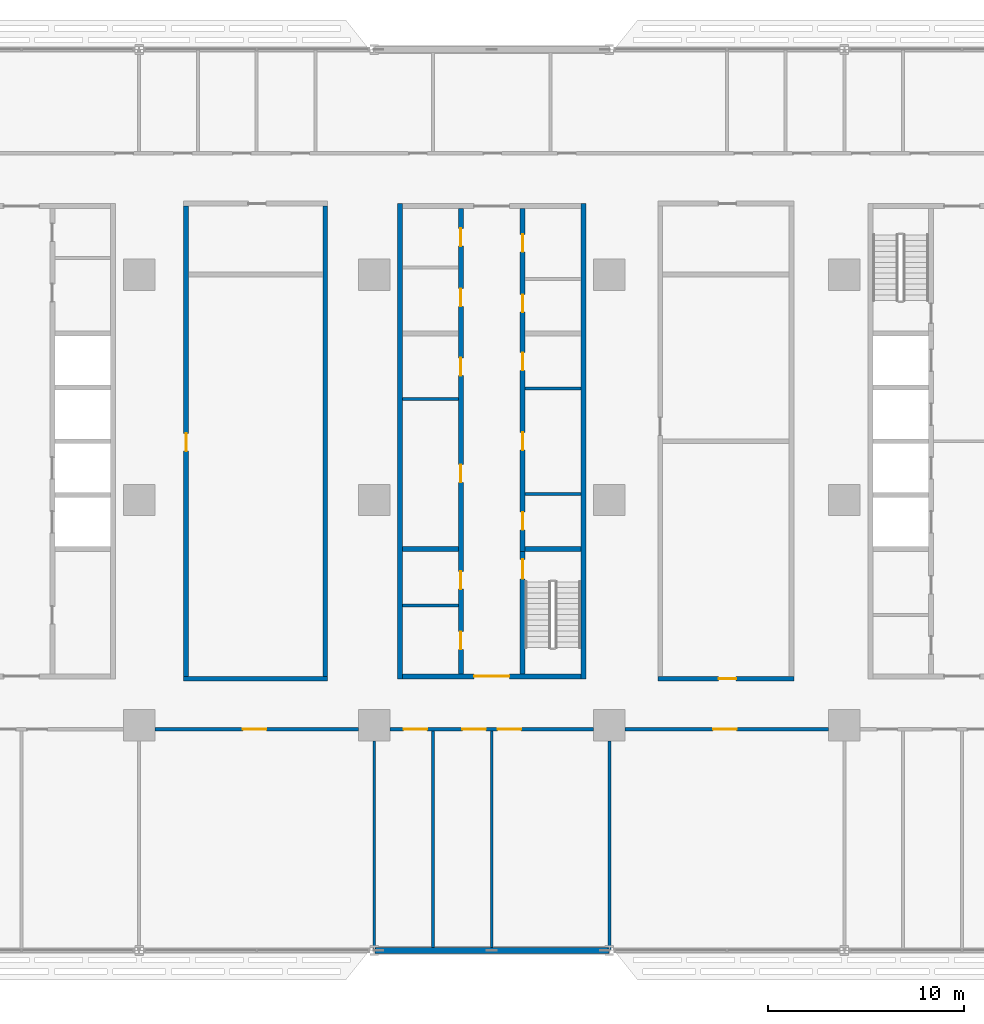
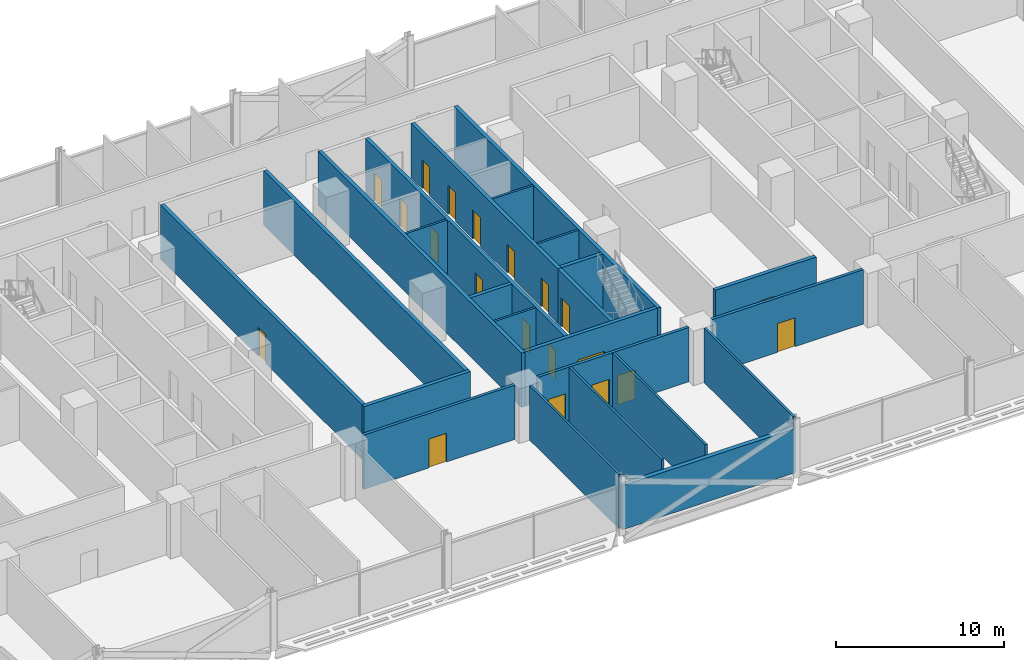
# One storey, part 11 of 27: 24 walls, 20 doors, 20 openings.
"""IFC4 building model written with IfcOpenShell, lengths in metres."""

from ifc_helpers import new_model, si_unit, direction, frame, frame_2d, origin, place, context, subcontext, project, spatial, rectangle, extrude, material, layer, layer_set, type_object, element, fill, save


model = new_model("IFC4")

# Units and contexts
model_context = context("Model", 3, precision=1e-05, world=origin(), true_north=direction((0.0, 1.0)))
body_context = subcontext(model_context, "Body", "Model", "MODEL_VIEW")
ifc_project = project(units=[si_unit("LENGTHUNIT", "METRE"), si_unit("AREAUNIT", "SQUARE_METRE"), si_unit("VOLUMEUNIT", "CUBIC_METRE"), si_unit("PLANEANGLEUNIT", "RADIAN"), si_unit("MASSUNIT", "GRAM", prefix="KILO")], contexts=[model_context])

# Site, building, storey
site_placement = place(None, origin())
site = spatial("IfcSite", under=ifc_project, at=site_placement, CompositionType="ELEMENT")
building_placement = place(site_placement, origin())
building = spatial("IfcBuilding", under=site, at=building_placement, Name="Mahtab Terrace Research Tower", CompositionType="ELEMENT")
storey_placement = place(building_placement, frame((0.0, 0.0, 28.699951171875)))
storey = spatial("IfcBuildingStorey", under=building, at=storey_placement, Name="L06", CompositionType="ELEMENT", Elevation=28.699951171875)

# Walls
ifc_material_1 = material(Name="Gypsum board partition")
ifc_layer_1 = layer(ifc_material_1, 0.14990234375)
ifc_layer_set_1 = layer_set([ifc_layer_1], Name="Core partition 150")
wall_type_1 = type_object("IfcWallType", Name="Core partition 150", PredefinedType="PARTITIONING", material=ifc_layer_set_1)
for number, where, z_axis, x_axis, name in (
    (1, (-4.550048828125, 5.14990234375, 0.0), (0.0, 0.0, 1.0), (1.0, 0.0, 0.0), "Core wall B pWL215"),
    (2, (1.699951171875, 0.3125, 0.0), (0.0, 0.0, 1.0), (1.0, 0.0, 0.0), "Core wall B pEL-269"),
    (3, (1.699951171875, 5.6875, 0.0), (0.0, 0.0, 1.0), (1.0, 0.0, 0.0), "Core wall B pEL269"),
    (4, (-4.550048828125, -5.39501953125, 0.0), (0.0, 0.0, 1.0), (1.0, 0.0, 0.0), "Core wall B pWS-840"),
):
    element("IfcWall", number, at=place(storey_placement, frame(where, z_axis=z_axis, x_axis=x_axis)), inside=storey, type_object=wall_type_1, Name=name, PredefinedType="PARTITIONING", context=body_context, shape_type="SweptSolid", body=[
        extrude(rectangle(XDim=2.85009765625, YDim=0.14990234375, at=frame_2d((1.425048828125, 0.0))), origin(), (0.0, 0.0, 1.0), 3.9599609375),
    ])
ifc_material_2 = material(Name="Concrete C70/85", Category="concrete")
ifc_layer_2 = layer(ifc_material_2, 0.25)
ifc_layer_set_2 = layer_set([ifc_layer_2], Name="Core wall 250")
wall_type_2 = type_object("IfcWallType", Name="Core wall 250", PredefinedType="SOLIDWALL", material=ifc_layer_set_2)
for number, where, z_axis, x_axis, name in (
    (5, (-4.675048828125, 15.125, 0.0), (0.0, 0.0, 1.0), (0.0, -1.0, 0.0), "Core wall B outerW"),
    (6, (4.675048828125, -9.125, 0.0), (0.0, 0.0, 1.0), (0.0, 1.0, 0.0), "Core wall B outerE"),
):
    element("IfcWall", number, at=place(storey_placement, frame(where, z_axis=z_axis, x_axis=x_axis)), inside=storey, type_object=wall_type_2, Name=name, PredefinedType="SOLIDWALL", context=body_context, shape_type="SweptSolid", body=[
        extrude(rectangle(XDim=24.25, YDim=0.25, at=frame_2d((12.125, 0.0))), origin(), (0.0, 0.0, 1.0), 3.9599609375),
    ])

# Wall, opening, door
wall_1_placement = place(storey_placement, frame((4.550048828125, -9.0, 0.0), z_axis=(0.0, 0.0, 1.0), x_axis=(-1.0, 0.0, 0.0)))
wall_1 = element("IfcWall", 7, at=wall_1_placement, inside=storey, type_object=wall_type_2, Name="Core wall B endS", PredefinedType="SOLIDWALL", context=body_context, shape_type="SweptSolid", body=[
    extrude(rectangle(XDim=9.10009765625, YDim=0.25, at=frame_2d((4.550048828125, 0.0))), origin(), (0.0, 0.0, 1.0), 3.9599609375),
])
opening_1_placement = place(wall_1_placement, frame((3.64990234375, 0.0, 0.0)))
opening_1 = element("IfcOpeningElement", 8, at=opening_1_placement, cuts=wall_1, Name="Opening B-S1", PredefinedType="OPENING", context=body_context, shape_type="SweptSolid", body=[
    extrude(rectangle(XDim=1.800048828125, YDim=2.10009765625, at=frame_2d((0.89990234375, 1.050048828125))), frame((0.0, 0.135009765625, 0.0), z_axis=(0.0, -1.0, 0.0), x_axis=(1.0, 0.0, 0.0)), (0.0, 0.0, 1.0), 0.27001953125),
])
ifc_material_3 = material(Name="Steel fire door", Category="steel")
door_type_1 = type_object("IfcDoorType", Name="Lobby double door 1800x2100 1 HR", OperationType="DOUBLE_DOOR_SINGLE_SWING", PredefinedType="DOOR", material=ifc_material_3)
door_1_placement = place(opening_1_placement, origin())
door_1 = element("IfcDoor", 9, at=door_1_placement, inside=storey, type_object=door_type_1, Name="Core entrance door B S", OperationType="DOUBLE_DOOR_SINGLE_SWING", OverallHeight=2.10009765625, OverallWidth=1.800048828125, PredefinedType="DOOR", context=body_context, shape_type="SweptSolid", body=[
    extrude(rectangle(XDim=1.800048828125, YDim=2.10009765625, at=frame_2d((0.89990234375, 1.050048828125))), frame((0.0, 0.02490234375, 0.0), z_axis=(0.0, -1.0, 0.0), x_axis=(1.0, 0.0, 0.0)), (0.0, 0.0, 1.0), 0.050048828125),
])
fill(opening_1, door_1)

# Wall, openings, doors
wall_2_placement = place(storey_placement, frame((-1.574951171875, -8.875, 0.0), z_axis=(0.0, 0.0, 1.0), x_axis=(0.0, 1.0, 0.0)))
wall_2 = element("IfcWall", 10, at=wall_2_placement, inside=storey, type_object=wall_type_2, Name="Core wall B innerWSLN", PredefinedType="SOLIDWALL", context=body_context, shape_type="SweptSolid", body=[
    extrude(rectangle(XDim=23.75, YDim=0.25, at=frame_2d((11.875, 0.0))), origin(), (0.0, 0.0, 1.0), 3.9599609375),
])
opening_2_placement = place(wall_2_placement, frame((9.77490234375, 0.0, 0.0)))
opening_2 = element("IfcOpeningElement", 11, at=opening_2_placement, cuts=wall_2, Name="Opening B-R1", PredefinedType="OPENING", context=body_context, shape_type="SweptSolid", body=[
    extrude(rectangle(XDim=0.89990234375, YDim=2.10009765625, at=frame_2d((0.449951171875, 1.050048828125))), frame((0.0, 0.135009765625, 0.0), z_axis=(0.0, -1.0, 0.0), x_axis=(1.0, 0.0, 0.0)), (0.0, 0.0, 1.0), 0.27001953125),
])
opening_3_placement = place(wall_2_placement, frame((15.22509765625, 0.0, 0.0)))
opening_3 = element("IfcOpeningElement", 12, at=opening_3_placement, cuts=wall_2, Name="Opening B-R2", PredefinedType="OPENING", context=body_context, shape_type="SweptSolid", body=[
    extrude(rectangle(XDim=0.89990234375, YDim=2.10009765625, at=frame_2d((0.449951171875, 1.050048828125))), frame((0.0, 0.135009765625, 0.0), z_axis=(0.0, -1.0, 0.0), x_axis=(1.0, 0.0, 0.0)), (0.0, 0.0, 1.0), 0.27001953125),
])
opening_4_placement = place(wall_2_placement, frame((1.25244140625, 0.0, 0.0)))
opening_4 = element("IfcOpeningElement", 13, at=opening_4_placement, cuts=wall_2, Name="Opening B-R6", PredefinedType="OPENING", context=body_context, shape_type="SweptSolid", body=[
    extrude(rectangle(XDim=0.89990234375, YDim=2.10009765625, at=frame_2d((0.449951171875, 1.050048828125))), frame((0.0, 0.135009765625, 0.0), z_axis=(0.0, -1.0, 0.0), x_axis=(1.0, 0.0, 0.0)), (0.0, 0.0, 1.0), 0.27001953125),
])
opening_5_placement = place(wall_2_placement, frame((4.327392578125, 0.0, 0.0)))
opening_5 = element("IfcOpeningElement", 14, at=opening_5_placement, cuts=wall_2, Name="Opening B-R7", PredefinedType="OPENING", context=body_context, shape_type="SweptSolid", body=[
    extrude(rectangle(XDim=0.89990234375, YDim=2.10009765625, at=frame_2d((0.449951171875, 1.050048828125))), frame((0.0, 0.135009765625, 0.0), z_axis=(0.0, -1.0, 0.0), x_axis=(1.0, 0.0, 0.0)), (0.0, 0.0, 1.0), 0.27001953125),
])
opening_6_placement = place(wall_2_placement, frame((18.762451171875, 0.0, 0.0)))
opening_6 = element("IfcOpeningElement", 15, at=opening_6_placement, cuts=wall_2, Name="Opening B-R8", PredefinedType="OPENING", context=body_context, shape_type="SweptSolid", body=[
    extrude(rectangle(XDim=0.89990234375, YDim=2.10009765625, at=frame_2d((0.449951171875, 1.050048828125))), frame((0.0, 0.135009765625, 0.0), z_axis=(0.0, -1.0, 0.0), x_axis=(1.0, 0.0, 0.0)), (0.0, 0.0, 1.0), 0.27001953125),
])
opening_7_placement = place(wall_2_placement, frame((21.83740234375, 0.0, 0.0)))
opening_7 = element("IfcOpeningElement", 16, at=opening_7_placement, cuts=wall_2, Name="Opening B-R9", PredefinedType="OPENING", context=body_context, shape_type="SweptSolid", body=[
    extrude(rectangle(XDim=0.89990234375, YDim=2.10009765625, at=frame_2d((0.449951171875, 1.050048828125))), frame((0.0, 0.135009765625, 0.0), z_axis=(0.0, -1.0, 0.0), x_axis=(1.0, 0.0, 0.0)), (0.0, 0.0, 1.0), 0.27001953125),
])
door_type_2 = type_object("IfcDoorType", Name="Room door 900x2100 1 HR", OperationType="NOTDEFINED", PredefinedType="DOOR", material=ifc_material_3)
door_2_placement = place(opening_2_placement, origin())
door_2 = element("IfcDoor", 17, at=door_2_placement, inside=storey, type_object=door_type_2, Name="Chemical store door", OperationType="SINGLE_SWING_LEFT", OverallHeight=2.10009765625, OverallWidth=0.89990234375, PredefinedType="DOOR", context=body_context, shape_type="SweptSolid", body=[
    extrude(rectangle(XDim=0.89990234375, YDim=2.10009765625, at=frame_2d((0.449951171875, 1.050048828125))), frame((0.0, 0.02490234375, 0.0), z_axis=(0.0, -1.0, 0.0), x_axis=(1.0, 0.0, 0.0)), (0.0, 0.0, 1.0), 0.050048828125),
])
fill(opening_2, door_2)
door_3_placement = place(opening_3_placement, origin())
door_3 = element("IfcDoor", 18, at=door_3_placement, inside=storey, type_object=door_type_2, Name="Waste room door", OperationType="SINGLE_SWING_RIGHT", OverallHeight=2.10009765625, OverallWidth=0.89990234375, PredefinedType="DOOR", context=body_context, shape_type="SweptSolid", body=[
    extrude(rectangle(XDim=0.89990234375, YDim=2.10009765625, at=frame_2d((0.449951171875, 1.050048828125))), frame((0.0, 0.02490234375, 0.0), z_axis=(0.0, -1.0, 0.0), x_axis=(1.0, 0.0, 0.0)), (0.0, 0.0, 1.0), 0.050048828125),
])
fill(opening_3, door_3)
door_4_placement = place(opening_4_placement, origin())
door_4 = element("IfcDoor", 19, at=door_4_placement, inside=storey, type_object=door_type_2, Name="Pantry door", OperationType="SINGLE_SWING_RIGHT", OverallHeight=2.10009765625, OverallWidth=0.89990234375, PredefinedType="DOOR", context=body_context, shape_type="SweptSolid", body=[
    extrude(rectangle(XDim=0.89990234375, YDim=2.10009765625, at=frame_2d((0.449951171875, 1.050048828125))), frame((0.0, 0.02490234375, 0.0), z_axis=(0.0, -1.0, 0.0), x_axis=(1.0, 0.0, 0.0)), (0.0, 0.0, 1.0), 0.050048828125),
])
fill(opening_4, door_4)
door_5_placement = place(opening_5_placement, origin())
door_5 = element("IfcDoor", 20, at=door_5_placement, inside=storey, type_object=door_type_2, Name="Linen store door", OperationType="SINGLE_SWING_LEFT", OverallHeight=2.10009765625, OverallWidth=0.89990234375, PredefinedType="DOOR", context=body_context, shape_type="SweptSolid", body=[
    extrude(rectangle(XDim=0.89990234375, YDim=2.10009765625, at=frame_2d((0.449951171875, 1.050048828125))), frame((0.0, 0.02490234375, 0.0), z_axis=(0.0, -1.0, 0.0), x_axis=(1.0, 0.0, 0.0)), (0.0, 0.0, 1.0), 0.050048828125),
])
fill(opening_5, door_5)
door_6_placement = place(opening_6_placement, origin())
door_6 = element("IfcDoor", 21, at=door_6_placement, inside=storey, type_object=door_type_2, Name="Housekeeping store door", OperationType="SINGLE_SWING_RIGHT", OverallHeight=2.10009765625, OverallWidth=0.89990234375, PredefinedType="DOOR", context=body_context, shape_type="SweptSolid", body=[
    extrude(rectangle(XDim=0.89990234375, YDim=2.10009765625, at=frame_2d((0.449951171875, 1.050048828125))), frame((0.0, 0.02490234375, 0.0), z_axis=(0.0, -1.0, 0.0), x_axis=(1.0, 0.0, 0.0)), (0.0, 0.0, 1.0), 0.050048828125),
])
fill(opening_6, door_6)
door_7_placement = place(opening_7_placement, origin())
door_7 = element("IfcDoor", 22, at=door_7_placement, inside=storey, type_object=door_type_2, Name="Electrical riser room door", OperationType="SINGLE_SWING_LEFT", OverallHeight=2.10009765625, OverallWidth=0.89990234375, PredefinedType="DOOR", context=body_context, shape_type="SweptSolid", body=[
    extrude(rectangle(XDim=0.89990234375, YDim=2.10009765625, at=frame_2d((0.449951171875, 1.050048828125))), frame((0.0, 0.02490234375, 0.0), z_axis=(0.0, -1.0, 0.0), x_axis=(1.0, 0.0, 0.0)), (0.0, 0.0, 1.0), 0.050048828125),
])
fill(opening_7, door_7)

# Wall, opening, door
wall_3_placement = place(storey_placement, frame((1.574951171875, -8.875, 0.0), z_axis=(0.0, 0.0, 1.0), x_axis=(0.0, 1.0, 0.0)))
wall_3 = element("IfcWall", 23, at=wall_3_placement, inside=storey, type_object=wall_type_2, Name="Core wall B innerES", PredefinedType="SOLIDWALL", context=body_context, shape_type="SweptSolid", body=[
    extrude(rectangle(XDim=6.25, YDim=0.25, at=frame_2d((3.125, 0.0))), origin(), (0.0, 0.0, 1.0), 3.9599609375),
])
opening_8_placement = place(wall_3_placement, frame((4.85009765625, 0.0, 0.0)))
opening_8 = element("IfcOpeningElement", 24, at=opening_8_placement, cuts=wall_3, Name="Opening B-ST2", PredefinedType="OPENING", context=body_context, shape_type="SweptSolid", body=[
    extrude(rectangle(XDim=1.0, YDim=2.10009765625, at=frame_2d((0.5, 1.050048828125))), frame((0.0, 0.135009765625, 0.0), z_axis=(0.0, -1.0, 0.0), x_axis=(1.0, 0.0, 0.0)), (0.0, 0.0, 1.0), 0.27001953125),
])
door_type_3 = type_object("IfcDoorType", Name="Stair door 1000x2100 1.5 HR", OperationType="NOTDEFINED", PredefinedType="DOOR", material=ifc_material_3)
door_8_placement = place(opening_8_placement, origin())
door_8 = element("IfcDoor", 25, at=door_8_placement, inside=storey, type_object=door_type_3, Name="Stair door ST2 L06", OperationType="SINGLE_SWING_RIGHT", OverallHeight=2.10009765625, OverallWidth=1.0, PredefinedType="DOOR", context=body_context, shape_type="SweptSolid", body=[
    extrude(rectangle(XDim=1.0, YDim=2.10009765625, at=frame_2d((0.5, 1.050048828125))), frame((0.0, 0.02490234375, 0.0), z_axis=(0.0, -1.0, 0.0), x_axis=(1.0, 0.0, 0.0)), (0.0, 0.0, 1.0), 0.050048828125),
])
fill(opening_8, door_8)

# Wall, openings, doors
wall_4_placement = place(storey_placement, frame((1.574951171875, 14.875, 0.0), z_axis=(0.0, 0.0, 1.0), x_axis=(0.0, -1.0, 0.0)))
wall_4 = element("IfcWall", 26, at=wall_4_placement, inside=storey, type_object=wall_type_2, Name="Core wall B innerELN", PredefinedType="SOLIDWALL", context=body_context, shape_type="SweptSolid", body=[
    extrude(rectangle(XDim=17.5, YDim=0.25, at=frame_2d((8.75, 0.0))), origin(), (0.0, 0.0, 1.0), 3.9599609375),
])
opening_9_placement = place(wall_4_placement, frame((15.493896484375, 0.0, 0.0)))
opening_9 = element("IfcOpeningElement", 27, at=opening_9_placement, cuts=wall_4, Name="Opening B-R3", PredefinedType="OPENING", context=body_context, shape_type="SweptSolid", body=[
    extrude(rectangle(XDim=0.89990234375, YDim=2.10009765625, at=frame_2d((0.449951171875, 1.050048828125))), frame((0.0, 0.135009765625, 0.0), z_axis=(0.0, -1.0, 0.0), x_axis=(1.0, 0.0, 0.0)), (0.0, 0.0, 1.0), 0.27001953125),
])
opening_10_placement = place(wall_4_placement, frame((11.425048828125, 0.0, 0.0)))
opening_10 = element("IfcOpeningElement", 28, at=opening_10_placement, cuts=wall_4, Name="Opening B-R4", PredefinedType="OPENING", context=body_context, shape_type="SweptSolid", body=[
    extrude(rectangle(XDim=0.89990234375, YDim=2.10009765625, at=frame_2d((0.449951171875, 1.050048828125))), frame((0.0, 0.135009765625, 0.0), z_axis=(0.0, -1.0, 0.0), x_axis=(1.0, 0.0, 0.0)), (0.0, 0.0, 1.0), 0.27001953125),
])
opening_11_placement = place(wall_4_placement, frame((7.356201171875, 0.0, 0.0)))
opening_11 = element("IfcOpeningElement", 29, at=opening_11_placement, cuts=wall_4, Name="Opening B-R5", PredefinedType="OPENING", context=body_context, shape_type="SweptSolid", body=[
    extrude(rectangle(XDim=0.89990234375, YDim=2.10009765625, at=frame_2d((0.449951171875, 1.050048828125))), frame((0.0, 0.135009765625, 0.0), z_axis=(0.0, -1.0, 0.0), x_axis=(1.0, 0.0, 0.0)), (0.0, 0.0, 1.0), 0.27001953125),
])
opening_12_placement = place(wall_4_placement, frame((4.387451171875, 0.0, 0.0)))
opening_12 = element("IfcOpeningElement", 30, at=opening_12_placement, cuts=wall_4, Name="Opening B-R10", PredefinedType="OPENING", context=body_context, shape_type="SweptSolid", body=[
    extrude(rectangle(XDim=0.89990234375, YDim=2.10009765625, at=frame_2d((0.449951171875, 1.050048828125))), frame((0.0, 0.135009765625, 0.0), z_axis=(0.0, -1.0, 0.0), x_axis=(1.0, 0.0, 0.0)), (0.0, 0.0, 1.0), 0.27001953125),
])
opening_13_placement = place(wall_4_placement, frame((1.3125, 0.0, 0.0)))
opening_13 = element("IfcOpeningElement", 31, at=opening_13_placement, cuts=wall_4, Name="Opening B-R11", PredefinedType="OPENING", context=body_context, shape_type="SweptSolid", body=[
    extrude(rectangle(XDim=0.89990234375, YDim=2.10009765625, at=frame_2d((0.449951171875, 1.050048828125))), frame((0.0, 0.135009765625, 0.0), z_axis=(0.0, -1.0, 0.0), x_axis=(1.0, 0.0, 0.0)), (0.0, 0.0, 1.0), 0.27001953125),
])
door_9_placement = place(opening_9_placement, origin())
door_9 = element("IfcDoor", 32, at=door_9_placement, inside=storey, type_object=door_type_2, Name="Comms room door", OperationType="SINGLE_SWING_LEFT", OverallHeight=2.10009765625, OverallWidth=0.89990234375, PredefinedType="DOOR", context=body_context, shape_type="SweptSolid", body=[
    extrude(rectangle(XDim=0.89990234375, YDim=2.10009765625, at=frame_2d((0.449951171875, 1.050048828125))), frame((0.0, 0.02490234375, 0.0), z_axis=(0.0, -1.0, 0.0), x_axis=(1.0, 0.0, 0.0)), (0.0, 0.0, 1.0), 0.050048828125),
])
fill(opening_9, door_9)
door_10_placement = place(opening_10_placement, origin())
door_10 = element("IfcDoor", 33, at=door_10_placement, inside=storey, type_object=door_type_2, Name="Meeting alcove door", OperationType="SINGLE_SWING_RIGHT", OverallHeight=2.10009765625, OverallWidth=0.89990234375, PredefinedType="DOOR", context=body_context, shape_type="SweptSolid", body=[
    extrude(rectangle(XDim=0.89990234375, YDim=2.10009765625, at=frame_2d((0.449951171875, 1.050048828125))), frame((0.0, 0.02490234375, 0.0), z_axis=(0.0, -1.0, 0.0), x_axis=(1.0, 0.0, 0.0)), (0.0, 0.0, 1.0), 0.050048828125),
])
fill(opening_10, door_10)
door_11_placement = place(opening_11_placement, origin())
door_11 = element("IfcDoor", 34, at=door_11_placement, inside=storey, type_object=door_type_2, Name="Linen store door", OperationType="SINGLE_SWING_LEFT", OverallHeight=2.10009765625, OverallWidth=0.89990234375, PredefinedType="DOOR", context=body_context, shape_type="SweptSolid", body=[
    extrude(rectangle(XDim=0.89990234375, YDim=2.10009765625, at=frame_2d((0.449951171875, 1.050048828125))), frame((0.0, 0.02490234375, 0.0), z_axis=(0.0, -1.0, 0.0), x_axis=(1.0, 0.0, 0.0)), (0.0, 0.0, 1.0), 0.050048828125),
])
fill(opening_11, door_11)
door_12_placement = place(opening_12_placement, origin())
door_12 = element("IfcDoor", 35, at=door_12_placement, inside=storey, type_object=door_type_2, Name="Accessible WC door", OperationType="SINGLE_SWING_RIGHT", OverallHeight=2.10009765625, OverallWidth=0.89990234375, PredefinedType="DOOR", context=body_context, shape_type="SweptSolid", body=[
    extrude(rectangle(XDim=0.89990234375, YDim=2.10009765625, at=frame_2d((0.449951171875, 1.050048828125))), frame((0.0, 0.02490234375, 0.0), z_axis=(0.0, -1.0, 0.0), x_axis=(1.0, 0.0, 0.0)), (0.0, 0.0, 1.0), 0.050048828125),
])
fill(opening_12, door_12)
door_13_placement = place(opening_13_placement, origin())
door_13 = element("IfcDoor", 36, at=door_13_placement, inside=storey, type_object=door_type_2, Name="WC block door", OperationType="SINGLE_SWING_LEFT", OverallHeight=2.10009765625, OverallWidth=0.89990234375, PredefinedType="DOOR", context=body_context, shape_type="SweptSolid", body=[
    extrude(rectangle(XDim=0.89990234375, YDim=2.10009765625, at=frame_2d((0.449951171875, 1.050048828125))), frame((0.0, 0.02490234375, 0.0), z_axis=(0.0, -1.0, 0.0), x_axis=(1.0, 0.0, 0.0)), (0.0, 0.0, 1.0), 0.050048828125),
])
fill(opening_13, door_13)

# Walls
for number, where, z_axis, x_axis, name in (
    (37, (-4.550048828125, -2.5, 0.0), (0.0, 0.0, 1.0), (1.0, 0.0, 0.0), "Core wall B divW0"),
    (38, (1.699951171875, -2.5, 0.0), (0.0, 0.0, 1.0), (1.0, 0.0, 0.0), "Core wall B divE0"),
):
    element("IfcWall", number, at=place(storey_placement, frame(where, z_axis=z_axis, x_axis=x_axis)), inside=storey, type_object=wall_type_2, Name=name, PredefinedType="SOLIDWALL", context=body_context, shape_type="SweptSolid", body=[
        extrude(rectangle(XDim=2.85009765625, YDim=0.25, at=frame_2d((1.425048828125, 0.0))), origin(), (0.0, 0.0, 1.0), 3.9599609375),
    ])
ifc_material_4 = material(Name="Black aluminium cladding panel", Category="aluminium")
ifc_layer_3 = layer(ifc_material_4, 0.300048828125)
ifc_layer_set_3 = layer_set([ifc_layer_3], Name="Opaque facade wall 300")
wall_type_3 = type_object("IfcWallType", Name="Opaque facade wall 300", PredefinedType="NOTDEFINED", material=ifc_layer_set_3)
wall_5_placement = place(storey_placement, frame((-5.97216796875, -23.0, 0.0), z_axis=(0.0, 0.0, 1.0), x_axis=(1.0, 0.0, 0.0)))
element("IfcWall", 39, at=wall_5_placement, inside=storey, type_object=wall_type_3, Name="Opaque facade wall L06 S25", PredefinedType="NOTDEFINED", context=body_context, shape_type="SweptSolid", body=[
    extrude(rectangle(XDim=11.9443359375, YDim=0.300048828125, at=frame_2d((5.97216796875, 0.0))), origin(), (0.0, 0.0, 1.0), 3.203125),
])
ifc_material_5 = material(Name="Masonry control area wall", Category="masonry")
ifc_layer_4 = layer(ifc_material_5, 0.25)
ifc_layer_set_4 = layer_set([ifc_layer_4], Name="WALL CONTROL AREA 250")
wall_type_4 = type_object("IfcWallType", Name="WALL CONTROL AREA 250", PredefinedType="PARTITIONING", material=ifc_layer_set_4)
wall_6_placement = place(storey_placement, frame((-15.72509765625, -9.125, 0.0), z_axis=(0.0, 0.0, 1.0), x_axis=(1.0, 0.0, 0.0)))
element("IfcWall", 40, at=wall_6_placement, inside=storey, type_object=wall_type_4, Name="L06-W011", PredefinedType="PARTITIONING", context=body_context, shape_type="SweptSolid", body=[
    extrude(rectangle(XDim=7.35009765625, YDim=0.25, at=frame_2d((3.675048828125, 0.0))), origin(), (0.0, 0.0, 1.0), 3.9599609375),
])

# Wall, opening, door
wall_7_placement = place(storey_placement, frame((8.47509765625, -9.125, 0.0), z_axis=(0.0, 0.0, 1.0), x_axis=(1.0, 0.0, 0.0)))
wall_7 = element("IfcWall", 41, at=wall_7_placement, inside=storey, type_object=wall_type_4, Name="L06-W012", PredefinedType="PARTITIONING", context=body_context, shape_type="SweptSolid", body=[
    extrude(rectangle(XDim=6.949951171875, YDim=0.25, at=frame_2d((3.47509765625, 0.0))), origin(), (0.0, 0.0, 1.0), 3.9599609375),
])
opening_14_placement = place(wall_7_placement, frame((3.10009765625, 0.0, 0.0)))
opening_14 = element("IfcOpeningElement", 42, at=opening_14_placement, cuts=wall_7, Name="Opening L06-118", PredefinedType="OPENING", context=body_context, shape_type="SweptSolid", body=[
    extrude(rectangle(XDim=0.89990234375, YDim=2.10009765625, at=frame_2d((0.449951171875, 1.050048828125))), frame((0.0, 0.135009765625, 0.0), z_axis=(0.0, -1.0, 0.0), x_axis=(1.0, 0.0, 0.0)), (0.0, 0.0, 1.0), 0.27001953125),
])
ifc_material_6 = material(Name="Timber door leaf in steel frame", Category="steel")
door_type_4 = type_object("IfcDoorType", Name="DOOR 0900X2100 FD120", OperationType="SINGLE_SWING_LEFT", PredefinedType="DOOR", material=ifc_material_6)
door_14_placement = place(opening_14_placement, origin())
door_14 = element("IfcDoor", 43, at=door_14_placement, inside=storey, type_object=door_type_4, Name="Door L06-118", OperationType="SINGLE_SWING_RIGHT", OverallHeight=2.10009765625, OverallWidth=0.89990234375, PredefinedType="DOOR", context=body_context, shape_type="SweptSolid", body=[
    extrude(rectangle(XDim=0.89990234375, YDim=2.10009765625, at=frame_2d((0.449951171875, 1.050048828125))), frame((0.0, 0.02490234375, 0.0), z_axis=(0.0, -1.0, 0.0), x_axis=(1.0, 0.0, 0.0)), (0.0, 0.0, 1.0), 0.050048828125),
])
fill(opening_14, door_14)

wall_8_placement = place(storey_placement, frame((-15.60009765625, -9.0, 0.0), z_axis=(0.0, 0.0, 1.0), x_axis=(0.0, 1.0, 0.0)))
wall_8 = element("IfcWall", 44, at=wall_8_placement, inside=storey, type_object=wall_type_4, Name="L06-W040", PredefinedType="PARTITIONING", context=body_context, shape_type="SweptSolid", body=[
    extrude(rectangle(XDim=24.0, YDim=0.25, at=frame_2d((12.0, 0.0))), origin(), (0.0, 0.0, 1.0), 3.9599609375),
])
opening_15_placement = place(wall_8_placement, frame((11.5, 0.0, 0.0)))
opening_15 = element("IfcOpeningElement", 45, at=opening_15_placement, cuts=wall_8, Name="Opening L06-119", PredefinedType="OPENING", context=body_context, shape_type="SweptSolid", body=[
    extrude(rectangle(XDim=0.89990234375, YDim=2.10009765625, at=frame_2d((0.449951171875, 1.050048828125))), frame((0.0, 0.135009765625, 0.0), z_axis=(0.0, -1.0, 0.0), x_axis=(1.0, 0.0, 0.0)), (0.0, 0.0, 1.0), 0.27001953125),
])
door_15_placement = place(opening_15_placement, origin())
door_15 = element("IfcDoor", 46, at=door_15_placement, inside=storey, type_object=door_type_4, Name="Door L06-119", OperationType="SINGLE_SWING_RIGHT", OverallHeight=2.10009765625, OverallWidth=0.89990234375, PredefinedType="DOOR", context=body_context, shape_type="SweptSolid", body=[
    extrude(rectangle(XDim=0.89990234375, YDim=2.10009765625, at=frame_2d((0.449951171875, 1.050048828125))), frame((0.0, 0.02490234375, 0.0), z_axis=(0.0, -1.0, 0.0), x_axis=(1.0, 0.0, 0.0)), (0.0, 0.0, 1.0), 0.050048828125),
])
fill(opening_15, door_15)

# Wall
wall_9_placement = place(storey_placement, frame((-8.5, -9.0, 0.0), z_axis=(0.0, 0.0, 1.0), x_axis=(0.0, 1.0, 0.0)))
element("IfcWall", 47, at=wall_9_placement, inside=storey, type_object=wall_type_4, Name="L06-W044", PredefinedType="PARTITIONING", context=body_context, shape_type="SweptSolid", body=[
    extrude(rectangle(XDim=24.0, YDim=0.25, at=frame_2d((12.0, 0.0))), origin(), (0.0, 0.0, 1.0), 3.9599609375),
])

# Wall, opening, door
ifc_material_7 = material(Name="Gypsum board corridor wall on steel studs", Category="steel")
ifc_layer_5 = layer(ifc_material_7, 0.199951171875)
ifc_layer_set_5 = layer_set([ifc_layer_5], Name="WALL CORRIDOR 200")
wall_type_5 = type_object("IfcWallType", Name="WALL CORRIDOR 200", PredefinedType="PARTITIONING", material=ifc_layer_set_5)
wall_10_placement = place(storey_placement, frame((-17.199951171875, -11.699951171875, 0.0), z_axis=(0.0, 0.0, 1.0), x_axis=(1.0, 0.0, 0.0)))
wall_10 = element("IfcWall", 48, at=wall_10_placement, inside=storey, type_object=wall_type_5, Name="L06-W004", PredefinedType="PARTITIONING", context=body_context, shape_type="SweptSolid", body=[
    extrude(rectangle(XDim=10.39990234375, YDim=0.199951171875, at=frame_2d((5.199951171875, 0.0))), origin(), (0.0, 0.0, 1.0), 3.9599609375),
])
opening_16_placement = place(wall_10_placement, frame((4.5, 0.0, 0.0)))
opening_16 = element("IfcOpeningElement", 49, at=opening_16_placement, cuts=wall_10, Name="Opening L06-106", PredefinedType="OPENING", context=body_context, shape_type="SweptSolid", body=[
    extrude(rectangle(XDim=1.199951171875, YDim=2.10009765625, at=frame_2d((0.60009765625, 1.050048828125))), frame((0.0, 0.10986328125, 0.0), z_axis=(0.0, -1.0, 0.0), x_axis=(1.0, 0.0, 0.0)), (0.0, 0.0, 1.0), 0.219970703125),
])
door_type_5 = type_object("IfcDoorType", Name="DOOR 1200X2100 FD30S", OperationType="SINGLE_SWING_LEFT", PredefinedType="DOOR", material=ifc_material_6)
door_16_placement = place(opening_16_placement, origin())
door_16 = element("IfcDoor", 50, at=door_16_placement, inside=storey, type_object=door_type_5, Name="Door L06-106", OperationType="SINGLE_SWING_RIGHT", OverallHeight=2.10009765625, OverallWidth=1.199951171875, PredefinedType="DOOR", context=body_context, shape_type="SweptSolid", body=[
    extrude(rectangle(XDim=1.199951171875, YDim=2.10009765625, at=frame_2d((0.60009765625, 1.050048828125))), frame((0.0, 0.02490234375, 0.0), z_axis=(0.0, -1.0, 0.0), x_axis=(1.0, 0.0, 0.0)), (0.0, 0.0, 1.0), 0.050048828125),
])
fill(opening_16, door_16)

# Wall, openings, doors
wall_11_placement = place(storey_placement, frame((-5.199951171875, -11.699951171875, 0.0), z_axis=(0.0, 0.0, 1.0), x_axis=(1.0, 0.0, 0.0)))
wall_11 = element("IfcWall", 51, at=wall_11_placement, inside=storey, type_object=wall_type_5, Name="L06-W005", PredefinedType="PARTITIONING", context=body_context, shape_type="SweptSolid", body=[
    extrude(rectangle(XDim=10.39990234375, YDim=0.199951171875, at=frame_2d((5.199951171875, 0.0))), origin(), (0.0, 0.0, 1.0), 3.9599609375),
])
opening_17_placement = place(wall_11_placement, frame((0.699951171875, 0.0, 0.0)))
opening_17 = element("IfcOpeningElement", 52, at=opening_17_placement, cuts=wall_11, Name="Opening L06-107", PredefinedType="OPENING", context=body_context, shape_type="SweptSolid", body=[
    extrude(rectangle(XDim=1.199951171875, YDim=2.10009765625, at=frame_2d((0.60009765625, 1.050048828125))), frame((0.0, 0.10986328125, 0.0), z_axis=(0.0, -1.0, 0.0), x_axis=(1.0, 0.0, 0.0)), (0.0, 0.0, 1.0), 0.219970703125),
])
opening_18_placement = place(wall_11_placement, frame((3.699951171875, 0.0, 0.0)))
opening_18 = element("IfcOpeningElement", 53, at=opening_18_placement, cuts=wall_11, Name="Opening L06-108", PredefinedType="OPENING", context=body_context, shape_type="SweptSolid", body=[
    extrude(rectangle(XDim=1.199951171875, YDim=2.10009765625, at=frame_2d((0.60009765625, 1.050048828125))), frame((0.0, 0.10986328125, 0.0), z_axis=(0.0, -1.0, 0.0), x_axis=(1.0, 0.0, 0.0)), (0.0, 0.0, 1.0), 0.219970703125),
])
opening_19_placement = place(wall_11_placement, frame((5.5, 0.0, 0.0)))
opening_19 = element("IfcOpeningElement", 54, at=opening_19_placement, cuts=wall_11, Name="Opening L06-109", PredefinedType="OPENING", context=body_context, shape_type="SweptSolid", body=[
    extrude(rectangle(XDim=1.199951171875, YDim=2.10009765625, at=frame_2d((0.60009765625, 1.050048828125))), frame((0.0, 0.10986328125, 0.0), z_axis=(0.0, -1.0, 0.0), x_axis=(1.0, 0.0, 0.0)), (0.0, 0.0, 1.0), 0.219970703125),
])
door_17_placement = place(opening_17_placement, origin())
door_17 = element("IfcDoor", 55, at=door_17_placement, inside=storey, type_object=door_type_5, Name="Door L06-107", OperationType="SINGLE_SWING_RIGHT", OverallHeight=2.10009765625, OverallWidth=1.199951171875, PredefinedType="DOOR", context=body_context, shape_type="SweptSolid", body=[
    extrude(rectangle(XDim=1.199951171875, YDim=2.10009765625, at=frame_2d((0.60009765625, 1.050048828125))), frame((0.0, 0.02490234375, 0.0), z_axis=(0.0, -1.0, 0.0), x_axis=(1.0, 0.0, 0.0)), (0.0, 0.0, 1.0), 0.050048828125),
])
fill(opening_17, door_17)
door_18_placement = place(opening_18_placement, origin())
door_18 = element("IfcDoor", 56, at=door_18_placement, inside=storey, type_object=door_type_5, Name="Door L06-108", OperationType="SINGLE_SWING_RIGHT", OverallHeight=2.10009765625, OverallWidth=1.199951171875, PredefinedType="DOOR", context=body_context, shape_type="SweptSolid", body=[
    extrude(rectangle(XDim=1.199951171875, YDim=2.10009765625, at=frame_2d((0.60009765625, 1.050048828125))), frame((0.0, 0.02490234375, 0.0), z_axis=(0.0, -1.0, 0.0), x_axis=(1.0, 0.0, 0.0)), (0.0, 0.0, 1.0), 0.050048828125),
])
fill(opening_18, door_18)
door_19_placement = place(opening_19_placement, origin())
door_19 = element("IfcDoor", 57, at=door_19_placement, inside=storey, type_object=door_type_5, Name="Door L06-109", OperationType="SINGLE_SWING_LEFT", OverallHeight=2.10009765625, OverallWidth=1.199951171875, PredefinedType="DOOR", context=body_context, shape_type="SweptSolid", body=[
    extrude(rectangle(XDim=1.199951171875, YDim=2.10009765625, at=frame_2d((0.60009765625, 1.050048828125))), frame((0.0, 0.02490234375, 0.0), z_axis=(0.0, -1.0, 0.0), x_axis=(1.0, 0.0, 0.0)), (0.0, 0.0, 1.0), 0.050048828125),
])
fill(opening_19, door_19)

# Wall, opening, door
wall_12_placement = place(storey_placement, frame((6.800048828125, -11.699951171875, 0.0), z_axis=(0.0, 0.0, 1.0), x_axis=(1.0, 0.0, 0.0)))
wall_12 = element("IfcWall", 58, at=wall_12_placement, inside=storey, type_object=wall_type_5, Name="L06-W006", PredefinedType="PARTITIONING", context=body_context, shape_type="SweptSolid", body=[
    extrude(rectangle(XDim=10.39990234375, YDim=0.199951171875, at=frame_2d((5.199951171875, 0.0))), origin(), (0.0, 0.0, 1.0), 3.9599609375),
])
opening_20_placement = place(wall_12_placement, frame((4.5, 0.0, 0.0)))
opening_20 = element("IfcOpeningElement", 59, at=opening_20_placement, cuts=wall_12, Name="Opening L06-110", PredefinedType="OPENING", context=body_context, shape_type="SweptSolid", body=[
    extrude(rectangle(XDim=1.199951171875, YDim=2.10009765625, at=frame_2d((0.60009765625, 1.050048828125))), frame((0.0, 0.10986328125, 0.0), z_axis=(0.0, -1.0, 0.0), x_axis=(1.0, 0.0, 0.0)), (0.0, 0.0, 1.0), 0.219970703125),
])
door_20_placement = place(opening_20_placement, origin())
door_20 = element("IfcDoor", 60, at=door_20_placement, inside=storey, type_object=door_type_5, Name="Door L06-110", OperationType="SINGLE_SWING_RIGHT", OverallHeight=2.10009765625, OverallWidth=1.199951171875, PredefinedType="DOOR", context=body_context, shape_type="SweptSolid", body=[
    extrude(rectangle(XDim=1.199951171875, YDim=2.10009765625, at=frame_2d((0.60009765625, 1.050048828125))), frame((0.0, 0.02490234375, 0.0), z_axis=(0.0, -1.0, 0.0), x_axis=(1.0, 0.0, 0.0)), (0.0, 0.0, 1.0), 0.050048828125),
])
fill(opening_20, door_20)

# Walls
ifc_material_8 = material(Name="Gypsum board partition on steel studs", Category="steel")
ifc_layer_6 = layer(ifc_material_8, 0.14990234375)
ifc_layer_set_6 = layer_set([ifc_layer_6], Name="WALL PARTITION 150")
wall_type_6 = type_object("IfcWallType", Name="WALL PARTITION 150", PredefinedType="PARTITIONING", material=ifc_layer_set_6)
wall_13_placement = place(storey_placement, frame((-6.0, -22.97509765625, 0.0), z_axis=(0.0, 0.0, 1.0), x_axis=(0.0, 1.0, 0.0)))
element("IfcWall", 61, at=wall_13_placement, inside=storey, type_object=wall_type_6, Name="L06-W045", PredefinedType="PARTITIONING", context=body_context, shape_type="SweptSolid", body=[
    extrude(rectangle(XDim=10.675048828125, YDim=0.14990234375, at=frame_2d((5.33740234375, 0.0))), origin(), (0.0, 0.0, 1.0), 3.9599609375),
])
for number, where, z_axis, x_axis, name in (
    (62, (-3.0, -22.85009765625, 0.0), (0.0, 0.0, 1.0), (0.0, 1.0, 0.0), "L06-W046"),
    (63, (0.0, -22.85009765625, 0.0), (0.0, 0.0, 1.0), (0.0, 1.0, 0.0), "L06-W048"),
):
    element("IfcWall", number, at=place(storey_placement, frame(where, z_axis=z_axis, x_axis=x_axis)), inside=storey, type_object=wall_type_6, Name=name, PredefinedType="PARTITIONING", context=body_context, shape_type="SweptSolid", body=[
        extrude(rectangle(XDim=11.050048828125, YDim=0.14990234375, at=frame_2d((5.52490234375, 0.0))), origin(), (0.0, 0.0, 1.0), 3.9599609375),
    ])
wall_14_placement = place(storey_placement, frame((6.0, -22.97509765625, 0.0), z_axis=(0.0, 0.0, 1.0), x_axis=(0.0, 1.0, 0.0)))
element("IfcWall", 64, at=wall_14_placement, inside=storey, type_object=wall_type_6, Name="L06-W050", PredefinedType="PARTITIONING", context=body_context, shape_type="SweptSolid", body=[
    extrude(rectangle(XDim=10.675048828125, YDim=0.14990234375, at=frame_2d((5.33740234375, 0.0))), origin(), (0.0, 0.0, 1.0), 3.9599609375),
])

save(model, "model.ifc")
